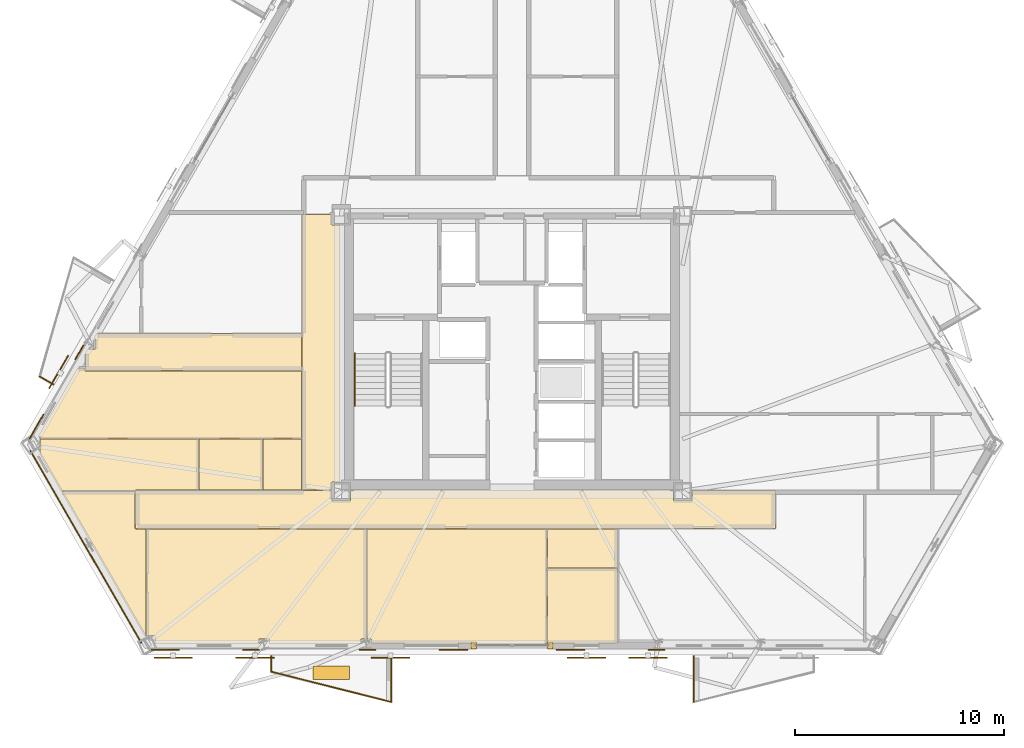
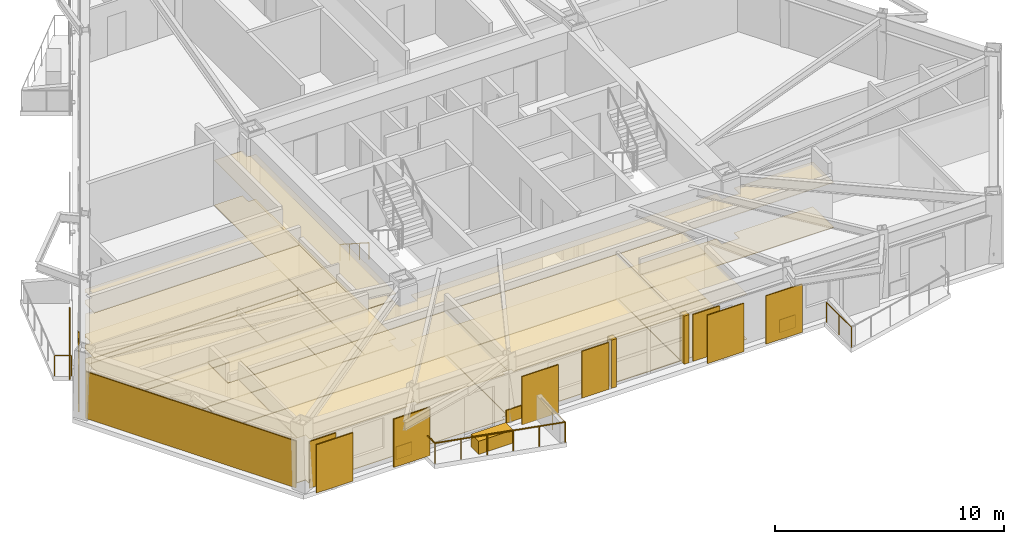
# One storey, part 13 of 16: 36 coverings, 6 railings, 6 shading devices.
"""IFC4 building model written with IfcOpenShell, lengths in metres."""

from ifc_helpers import new_model, si_unit, direction, frame, origin, origin_2d, place, context, subcontext, project, spatial, polyline, rectangle, circle, outline, extrude, material, layer, layer_set, type_object, element, save


model = new_model("IFC4")

# Units and contexts
model_context = context("Model", 3, precision=1e-05, world=origin(), true_north=direction((0.0, 1.0)))
body_context = subcontext(model_context, "Body", "Model", "MODEL_VIEW")
ifc_project = project(units=[si_unit("LENGTHUNIT", "METRE"), si_unit("AREAUNIT", "SQUARE_METRE"), si_unit("VOLUMEUNIT", "CUBIC_METRE"), si_unit("PLANEANGLEUNIT", "RADIAN"), si_unit("MASSUNIT", "GRAM", prefix="KILO")], contexts=[model_context])

# Site, building, storey
site_placement = place(None, origin())
site = spatial("IfcSite", under=ifc_project, at=site_placement, CompositionType="ELEMENT")
building_placement = place(site_placement, origin())
building = spatial("IfcBuilding", under=site, at=building_placement, Name="Oramaril Tower", CompositionType="ELEMENT")
storey_placement = place(building_placement, frame((0.0, 0.0, 115.800048828125)))
storey = spatial("IfcBuildingStorey", under=building, at=storey_placement, Name="L30", CompositionType="ELEMENT", Elevation=115.800048828125)

# Coverings
ifc_material_1 = material(Name="Mineral Fibre Acoustic Ceiling")
ifc_layer_1 = layer(ifc_material_1, 0.02001953125)
ifc_layer_set_1 = layer_set([ifc_layer_1], Name="CVT-CEIL")
covering_type_1 = type_object("IfcCoveringType", Name="CVT-CEIL", PredefinedType="CEILING", material=ifc_layer_set_1)
covering_1_placement = place(storey_placement, frame((0.0, 0.0, 2.39990234375)))
element("IfcCovering", 1, at=covering_1_placement, inside=storey, type_object=covering_type_1, Name="L30 Acoustic Suspended Ceiling 1", PredefinedType="CEILING", context=body_context, shape_type="SweptSolid", body=[
    extrude(outline(polyline([(28.905029296875, 10.554931640625), (29.794921875, 10.554931640625), (29.794921875, 11.030029296875), (45.205078125, 11.030029296875), (45.205078125, 10.554931640625), (46.094970703125, 10.554931640625), (46.094970703125, 11.030029296875), (50.080078125, 11.030029296875), (50.080078125, 9.219970703125), (19.52001953125, 9.219970703125), (19.52001953125, 11.030029296875), (28.905029296875, 11.030029296875), (28.905029296875, 10.554931640625)])), origin(), (0.0, 0.0, 1.0), 0.02001953125),
])
covering_2_placement = place(storey_placement, frame((0.0, 0.0, 2.39990234375)))
element("IfcCovering", 2, at=covering_2_placement, inside=storey, type_object=covering_type_1, Name="L30 Acoustic Suspended Ceiling 3", PredefinedType="CEILING", context=body_context, shape_type="SweptSolid", body=[
    extrude(outline(polyline([(28.905029296875, 23.705078125), (29.280029296875, 23.705078125), (29.280029296875, 11.445068359375), (28.905029296875, 11.445068359375), (28.905029296875, 11.050048828125), (27.469970703125, 11.050048828125), (27.469970703125, 24.219970703125), (28.905029296875, 24.219970703125), (28.905029296875, 23.705078125)])), origin(), (0.0, 0.0, 1.0), 0.02001953125),
])
covering_3_placement = place(storey_placement, frame((0.0, 0.0, 2.39990234375)))
element("IfcCovering", 3, at=covering_3_placement, inside=storey, type_object=covering_type_1, Name="L30 Acoustic Suspended Ceiling 5", PredefinedType="CEILING", context=body_context, shape_type="SweptSolid", body=[
    extrude(outline(polyline([(17.1201171875, 16.77001953125), (17.1201171875, 17.60205078125), (17.230712890625, 17.793701171875), (17.598388671875, 17.793701171875), (17.598388671875, 18.3037109375), (17.525146484375, 18.3037109375), (17.65576171875, 18.530029296875), (27.449951171875, 18.530029296875), (27.449951171875, 16.77001953125), (17.1201171875, 16.77001953125)])), origin(), (0.0, 0.0, 1.0), 0.02001953125),
])
covering_4_placement = place(storey_placement, frame((0.0, 0.0, 2.39990234375)))
element("IfcCovering", 4, at=covering_4_placement, inside=storey, type_object=covering_type_1, Name="L30 Acoustic Suspended Ceiling 6", PredefinedType="CEILING", context=body_context, shape_type="SweptSolid", body=[
    extrude(outline(polyline([(25.882080078125, 3.93603515625), (25.410400390625, 3.93603515625), (25.410400390625, 3.7373046875), (20.456787109375, 3.7373046875), (20.456787109375, 4.0830078125), (20.0419921875, 4.0830078125), (20.0419921875, 9.199951171875), (30.5419921875, 9.199951171875), (30.5419921875, 3.93603515625), (30.296630859375, 3.93603515625), (30.296630859375, 3.7373046875), (25.882080078125, 3.7373046875), (25.882080078125, 3.93603515625)])), origin(), (0.0, 0.0, 1.0), 0.02001953125),
])
covering_5_placement = place(storey_placement, frame((0.0, 0.0, 2.39990234375)))
element("IfcCovering", 5, at=covering_5_placement, inside=storey, type_object=covering_type_1, Name="L30 Acoustic Suspended Ceiling 7", PredefinedType="CEILING", context=body_context, shape_type="SweptSolid", body=[
    extrude(outline(polyline([(19.94970703125, 4.0830078125), (15.960693359375, 10.991943359375), (19.5, 10.991943359375), (19.5, 9.219970703125), (19.5, 9.218017578125), (19.50048828125, 9.216064453125), (19.5009765625, 9.214111328125), (19.50146484375, 9.21240234375), (19.50244140625, 9.210693359375), (19.50341796875, 9.208984375), (19.50439453125, 9.207275390625), (19.505859375, 9.205810546875), (19.50732421875, 9.20458984375), (19.5087890625, 9.203369140625), (19.510498046875, 9.202392578125), (19.51220703125, 9.201416015625), (19.51416015625, 9.200927734375), (19.51611328125, 9.200439453125), (19.51806640625, 9.2001953125), (19.52001953125, 9.199951171875), (20.022216796875, 9.199951171875), (20.022216796875, 4.0830078125), (19.94970703125, 4.0830078125)])), origin(), (0.0, 0.0, 1.0), 0.02001953125),
])
covering_6_placement = place(storey_placement, frame((0.0, 0.0, 2.39990234375)))
element("IfcCovering", 6, at=covering_6_placement, inside=storey, type_object=covering_type_1, Name="L30 Acoustic Suspended Ceiling 8", PredefinedType="CEILING", context=body_context, shape_type="SweptSolid", body=[
    extrude(outline(polyline([(39.181884765625, 3.7373046875), (30.7578125, 3.7373046875), (30.7578125, 3.93603515625), (30.56201171875, 3.93603515625), (30.56201171875, 9.199951171875), (39.181884765625, 9.199951171875), (39.181884765625, 3.7373046875)])), origin(), (0.0, 0.0, 1.0), 0.02001953125),
])
covering_7_placement = place(storey_placement, frame((0.0, 0.0, 2.39990234375)))
element("IfcCovering", 7, at=covering_7_placement, inside=storey, type_object=covering_type_1, Name="L30 Acoustic Suspended Ceiling 9", PredefinedType="CEILING", context=body_context, shape_type="SweptSolid", body=[
    extrude(outline(polyline([(42.5419921875, 7.314208984375), (42.5419921875, 3.7373046875), (39.201904296875, 3.7373046875), (39.201904296875, 7.314208984375), (42.5419921875, 7.314208984375)])), origin(), (0.0, 0.0, 1.0), 0.02001953125),
])
covering_8_placement = place(storey_placement, frame((0.0, 0.0, 2.39990234375)))
element("IfcCovering", 8, at=covering_8_placement, inside=storey, type_object=covering_type_1, Name="L30 Acoustic Suspended Ceiling 10", PredefinedType="CEILING", context=body_context, shape_type="SweptSolid", body=[
    extrude(outline(polyline([(42.5419921875, 7.334228515625), (39.201904296875, 7.334228515625), (39.201904296875, 9.199951171875), (42.5419921875, 9.199951171875), (42.5419921875, 7.334228515625)])), origin(), (0.0, 0.0, 1.0), 0.02001953125),
])
covering_9_placement = place(storey_placement, frame((0.0, 0.0, 2.39990234375)))
element("IfcCovering", 9, at=covering_9_placement, inside=storey, type_object=covering_type_1, Name="L30 Acoustic Suspended Ceiling 13", PredefinedType="CEILING", context=body_context, shape_type="SweptSolid", body=[
    extrude(outline(polyline([(14.953125, 13.50390625), (14.953125, 13.625), (14.867919921875, 13.625), (16.75390625, 16.89208984375), (17.10009765625, 16.89208984375), (17.10009765625, 16.77001953125), (17.10009765625, 16.76806640625), (17.100341796875, 16.76611328125), (17.100830078125, 16.76416015625), (17.1015625, 16.76220703125), (17.102294921875, 16.760498046875), (17.103515625, 16.7587890625), (17.1044921875, 16.75732421875), (17.10595703125, 16.755859375), (17.107421875, 16.75439453125), (17.10888671875, 16.75341796875), (17.110595703125, 16.75244140625), (17.1123046875, 16.75146484375), (17.1142578125, 16.7509765625), (17.1162109375, 16.75048828125), (17.117919921875, 16.75), (17.1201171875, 16.75), (27.449951171875, 16.75), (27.449951171875, 13.50390625), (14.953125, 13.50390625)])), origin(), (0.0, 0.0, 1.0), 0.02001953125),
])
covering_10_placement = place(storey_placement, frame((0.0, 0.0, 2.39990234375)))
element("IfcCovering", 10, at=covering_10_placement, inside=storey, type_object=covering_type_1, Name="L30 Acoustic Suspended Ceiling 14", PredefinedType="CEILING", context=body_context, shape_type="SweptSolid", body=[
    extrude(outline(polyline([(14.91064453125, 12.810791015625), (14.953125, 12.810791015625), (14.953125, 13.48388671875), (22.528564453125, 13.48388671875), (22.528564453125, 11.050048828125), (19.52001953125, 11.050048828125), (19.51806640625, 11.0498046875), (19.51611328125, 11.049560546875), (19.51416015625, 11.049072265625), (19.51220703125, 11.048583984375), (19.510498046875, 11.047607421875), (19.5087890625, 11.046630859375), (19.50732421875, 11.04541015625), (19.505859375, 11.044189453125), (19.50439453125, 11.042724609375), (19.50341796875, 11.041015625), (19.50244140625, 11.039306640625), (19.50146484375, 11.03759765625), (19.5009765625, 11.035888671875), (19.50048828125, 11.033935546875), (19.5, 11.031982421875), (19.5, 11.030029296875), (19.5, 11.011962890625), (15.960693359375, 11.011962890625), (15.958740234375, 11.011962890625), (15.956787109375, 11.01171875), (15.954833984375, 11.010986328125), (15.952880859375, 11.010498046875), (15.951171875, 11.009521484375), (15.95068359375, 11.00927734375), (14.91064453125, 12.810791015625)])), origin(), (0.0, 0.0, 1.0), 0.02001953125),
])
covering_11_placement = place(storey_placement, frame((0.0, 0.0, 2.39990234375)))
element("IfcCovering", 11, at=covering_11_placement, inside=storey, type_object=covering_type_1, Name="L30 Acoustic Suspended Ceiling 15", PredefinedType="CEILING", context=body_context, shape_type="SweptSolid", body=[
    extrude(outline(polyline([(25.57861328125, 11.050048828125), (22.548583984375, 11.050048828125), (22.548583984375, 13.48388671875), (25.57861328125, 13.48388671875), (25.57861328125, 11.050048828125)])), origin(), (0.0, 0.0, 1.0), 0.02001953125),
])
covering_12_placement = place(storey_placement, frame((0.0, 0.0, 2.39990234375)))
element("IfcCovering", 12, at=covering_12_placement, inside=storey, type_object=covering_type_1, Name="L30 Acoustic Suspended Ceiling 16", PredefinedType="CEILING", context=body_context, shape_type="SweptSolid", body=[
    extrude(outline(polyline([(25.598388671875, 13.48388671875), (27.449951171875, 13.48388671875), (27.449951171875, 11.050048828125), (25.598388671875, 11.050048828125), (25.598388671875, 13.48388671875)])), origin(), (0.0, 0.0, 1.0), 0.02001953125),
])
ifc_material_2 = material(Name="Warm Cream Limestone", Category="masonry")
ifc_layer_2 = layer(ifc_material_2, 0.050048828125)
ifc_layer_set_2 = layer_set([ifc_layer_2], Name="CVT-CLD")
covering_type_2 = type_object("IfcCoveringType", Name="CVT-CLD", PredefinedType="CLADDING", material=ifc_layer_set_2)
covering_13_placement = place(storey_placement, frame((17.14111328125, 8.345703125, 0.0400390625), z_axis=(0.0, 0.0, 1.0), x_axis=(0.500003022996, -0.86602365845, 0.0)))
element("IfcCovering", 13, at=covering_13_placement, inside=storey, type_object=covering_type_2, Name="L30 Warm Cream Limestone Cladding", PredefinedType="CLADDING", context=body_context, shape_type="SweptSolid", body=[
    extrude(rectangle(XDim=10.614990234375, YDim=0.050048828125, at=origin_2d()), origin(), (0.0, 0.0, 1.0), 2.498046875),
])
for number, where, z_axis, x_axis, name in (
    (14, (35.669921875, 3.62939453125, 0.0), (0.0, 0.0, 1.0), (1.0, 0.0, 0.0), "L30 Curtain Wall Limestone Jamb Closure"),
    (15, (39.330078125, 3.62939453125, 0.0), (0.0, 0.0, 1.0), (1.0, 0.0, 0.0), "L30 Curtain Wall Limestone Jamb Closure"),
):
    element("IfcCovering", number, at=place(storey_placement, frame(where, z_axis=z_axis, x_axis=x_axis)), inside=storey, type_object=covering_type_2, Name=name, PredefinedType="CLADDING", context=body_context, shape_type="SweptSolid", body=[
        extrude(rectangle(XDim=0.260009765625, YDim=0.340087890625, at=origin_2d()), origin(), (0.0, 0.0, 1.0), 2.577880859375),
    ])
for number, where, z_axis, x_axis, name in (
    (16, (20.93701171875, 3.436279296875, 0.0400390625), (0.0, 0.0, 1.0), (1.0, 0.0, 0.0), "L30 Warm Cream Limestone Cladding"),
    (17, (34.699951171875, 3.436279296875, 0.0400390625), (0.0, 0.0, 1.0), (1.0, 0.0, 0.0), "L30 Warm Cream Limestone Cladding"),
):
    element("IfcCovering", number, at=place(storey_placement, frame(where, z_axis=z_axis, x_axis=x_axis)), inside=storey, type_object=covering_type_2, Name=name, PredefinedType="CLADDING", context=body_context, shape_type="SweptSolid", body=[
        extrude(rectangle(XDim=1.35009765625, YDim=0.050048828125, at=origin_2d()), origin(), (0.0, 0.0, 1.0), 2.498046875),
    ])
for number, where, z_axis, x_axis, name in (
    (18, (25.03515625, 3.436279296875, 0.0400390625), (0.0, 0.0, 1.0), (1.0, 0.0, 0.0), "L30 Warm Cream Limestone Spandrel Cladding"),
    (19, (30.601806640625, 3.436279296875, 0.0400390625), (0.0, 0.0, 1.0), (1.0, 0.0, 0.0), "L30 Warm Cream Limestone Spandrel Cladding"),
):
    element("IfcCovering", number, at=place(storey_placement, frame(where, z_axis=z_axis, x_axis=x_axis)), inside=storey, type_object=covering_type_2, Name=name, PredefinedType="CLADDING", context=body_context, shape_type="SweptSolid", body=[
        extrude(rectangle(XDim=0.800048828125, YDim=0.050048828125, at=origin_2d()), origin(), (0.0, 0.0, 1.0), 0.679931640625),
    ])
covering_14_placement = place(storey_placement, frame((40.300048828125, 3.436279296875, 0.0400390625), z_axis=(0.0, 0.0, 1.0), x_axis=(1.0, 0.0, 0.0)))
element("IfcCovering", 20, at=covering_14_placement, inside=storey, type_object=covering_type_2, Name="L30 Warm Cream Limestone Cladding", PredefinedType="CLADDING", context=body_context, shape_type="SweptSolid", body=[
    extrude(rectangle(XDim=1.35009765625, YDim=0.050048828125, at=origin_2d()), origin(), (0.0, 0.0, 1.0), 2.498046875),
])
covering_15_placement = place(storey_placement, frame((44.398193359375, 3.436279296875, 0.0400390625), z_axis=(0.0, 0.0, 1.0), x_axis=(1.0, 0.0, 0.0)))
element("IfcCovering", 21, at=covering_15_placement, inside=storey, type_object=covering_type_2, Name="L30 Warm Cream Limestone Spandrel Cladding", PredefinedType="CLADDING", context=body_context, shape_type="SweptSolid", body=[
    extrude(rectangle(XDim=0.800048828125, YDim=0.050048828125, at=origin_2d()), origin(), (0.0, 0.0, 1.0), 0.679931640625),
])
covering_16_placement = place(storey_placement, frame((14.787353515625, 14.087646484375, 0.0400390625), z_axis=(0.0, 0.0, 1.0), x_axis=(-0.4999984885, -0.866026276448, 0.0)))
element("IfcCovering", 22, at=covering_16_placement, inside=storey, type_object=covering_type_2, Name="L30 Warm Cream Limestone Cladding", PredefinedType="CLADDING", context=body_context, shape_type="SweptSolid", body=[
    extrude(rectangle(XDim=1.35009765625, YDim=0.050048828125, at=origin_2d()), origin(), (0.0, 0.0, 1.0), 2.498046875),
])
covering_17_placement = place(storey_placement, frame((16.836181640625, 17.636962890625, 0.0400390625), z_axis=(0.0, 0.0, 1.0), x_axis=(-0.4999984885, -0.866026276448, 0.0)))
element("IfcCovering", 23, at=covering_17_placement, inside=storey, type_object=covering_type_2, Name="L30 Warm Cream Limestone Spandrel Cladding", PredefinedType="CLADDING", context=body_context, shape_type="SweptSolid", body=[
    extrude(rectangle(XDim=0.800048828125, YDim=0.050048828125, at=origin_2d()), origin(), (0.0, 0.0, 1.0), 0.679931640625),
])
covering_18_placement = place(storey_placement, frame((28.871337890625, 2.332763671875, 0.0), z_axis=(0.0, 0.0, 1.0), x_axis=(1.0, 0.0, 0.0)))
element("IfcCovering", 24, at=covering_18_placement, inside=storey, type_object=covering_type_2, Name="L30 Structural Tree Planter Box L30-BAL-S1", PredefinedType="CLADDING", context=body_context, shape_type="SweptSolid", body=[
    extrude(rectangle(XDim=1.75, YDim=0.64990234375, at=origin_2d()), origin(), (0.0, 0.0, 1.0), 0.699951171875),
])
ifc_material_3 = material(Name="Honed Quartzite Stone Flooring", Category="masonry")
ifc_layer_3 = layer(ifc_material_3, 0.02490234375)
ifc_layer_set_3 = layer_set([ifc_layer_3], Name="CVT-FLR")
covering_type_3 = type_object("IfcCoveringType", Name="CVT-FLR", PredefinedType="FLOORING", material=ifc_layer_set_3)
covering_19_placement = place(storey_placement, origin())
element("IfcCovering", 25, at=covering_19_placement, inside=storey, type_object=covering_type_3, Name="L30 Honed Stone Floor Finish 1", PredefinedType="FLOORING", context=body_context, shape_type="SweptSolid", body=[
    extrude(outline(polyline([(28.905029296875, 10.554931640625), (29.794921875, 10.554931640625), (29.794921875, 11.030029296875), (45.205078125, 11.030029296875), (45.205078125, 10.554931640625), (46.094970703125, 10.554931640625), (46.094970703125, 11.030029296875), (50.080078125, 11.030029296875), (50.080078125, 9.219970703125), (19.52001953125, 9.219970703125), (19.52001953125, 11.030029296875), (28.905029296875, 11.030029296875), (28.905029296875, 10.554931640625)])), origin(), (0.0, 0.0, 1.0), 0.02490234375),
])
covering_20_placement = place(storey_placement, origin())
element("IfcCovering", 26, at=covering_20_placement, inside=storey, type_object=covering_type_3, Name="L30 Honed Stone Floor Finish 3", PredefinedType="FLOORING", context=body_context, shape_type="SweptSolid", body=[
    extrude(outline(polyline([(28.905029296875, 23.705078125), (29.280029296875, 23.705078125), (29.280029296875, 11.445068359375), (28.905029296875, 11.445068359375), (28.905029296875, 11.050048828125), (27.469970703125, 11.050048828125), (27.469970703125, 24.219970703125), (28.905029296875, 24.219970703125), (28.905029296875, 23.705078125)])), origin(), (0.0, 0.0, 1.0), 0.02490234375),
])
covering_21_placement = place(storey_placement, origin())
element("IfcCovering", 27, at=covering_21_placement, inside=storey, type_object=covering_type_3, Name="L30 Honed Stone Floor Finish 5", PredefinedType="FLOORING", context=body_context, shape_type="SweptSolid", body=[
    extrude(outline(polyline([(17.1201171875, 16.77001953125), (17.1201171875, 17.60205078125), (17.230712890625, 17.793701171875), (17.598388671875, 17.793701171875), (17.598388671875, 18.3037109375), (17.525146484375, 18.3037109375), (17.65576171875, 18.530029296875), (27.449951171875, 18.530029296875), (27.449951171875, 16.77001953125), (17.1201171875, 16.77001953125)])), origin(), (0.0, 0.0, 1.0), 0.02490234375),
])
covering_22_placement = place(storey_placement, origin())
element("IfcCovering", 28, at=covering_22_placement, inside=storey, type_object=covering_type_3, Name="L30 Honed Stone Floor Finish 6", PredefinedType="FLOORING", context=body_context, shape_type="SweptSolid", body=[
    extrude(outline(polyline([(25.882080078125, 3.93603515625), (25.410400390625, 3.93603515625), (25.410400390625, 3.7373046875), (20.456787109375, 3.7373046875), (20.456787109375, 4.0830078125), (20.0419921875, 4.0830078125), (20.0419921875, 9.199951171875), (30.5419921875, 9.199951171875), (30.5419921875, 3.93603515625), (30.296630859375, 3.93603515625), (30.296630859375, 3.7373046875), (25.882080078125, 3.7373046875), (25.882080078125, 3.93603515625)])), origin(), (0.0, 0.0, 1.0), 0.02490234375),
])
covering_23_placement = place(storey_placement, origin())
element("IfcCovering", 29, at=covering_23_placement, inside=storey, type_object=covering_type_3, Name="L30 Honed Stone Floor Finish 7", PredefinedType="FLOORING", context=body_context, shape_type="SweptSolid", body=[
    extrude(outline(polyline([(19.94970703125, 4.0830078125), (15.960693359375, 10.991943359375), (19.5, 10.991943359375), (19.5, 9.219970703125), (19.5, 9.218017578125), (19.50048828125, 9.216064453125), (19.5009765625, 9.214111328125), (19.50146484375, 9.21240234375), (19.50244140625, 9.210693359375), (19.50341796875, 9.208984375), (19.50439453125, 9.207275390625), (19.505859375, 9.205810546875), (19.50732421875, 9.20458984375), (19.5087890625, 9.203369140625), (19.510498046875, 9.202392578125), (19.51220703125, 9.201416015625), (19.51416015625, 9.200927734375), (19.51611328125, 9.200439453125), (19.51806640625, 9.2001953125), (19.52001953125, 9.199951171875), (20.022216796875, 9.199951171875), (20.022216796875, 4.0830078125), (19.94970703125, 4.0830078125)])), origin(), (0.0, 0.0, 1.0), 0.02490234375),
])
covering_24_placement = place(storey_placement, origin())
element("IfcCovering", 30, at=covering_24_placement, inside=storey, type_object=covering_type_3, Name="L30 Honed Stone Floor Finish 8", PredefinedType="FLOORING", context=body_context, shape_type="SweptSolid", body=[
    extrude(outline(polyline([(39.181884765625, 3.7373046875), (30.7578125, 3.7373046875), (30.7578125, 3.93603515625), (30.56201171875, 3.93603515625), (30.56201171875, 9.199951171875), (39.181884765625, 9.199951171875), (39.181884765625, 3.7373046875)])), origin(), (0.0, 0.0, 1.0), 0.02490234375),
])
covering_25_placement = place(storey_placement, origin())
element("IfcCovering", 31, at=covering_25_placement, inside=storey, type_object=covering_type_3, Name="L30 Honed Stone Floor Finish 9", PredefinedType="FLOORING", context=body_context, shape_type="SweptSolid", body=[
    extrude(outline(polyline([(42.5419921875, 7.314208984375), (42.5419921875, 3.7373046875), (39.201904296875, 3.7373046875), (39.201904296875, 7.314208984375), (42.5419921875, 7.314208984375)])), origin(), (0.0, 0.0, 1.0), 0.02490234375),
])
covering_26_placement = place(storey_placement, origin())
element("IfcCovering", 32, at=covering_26_placement, inside=storey, type_object=covering_type_3, Name="L30 Honed Stone Floor Finish 10", PredefinedType="FLOORING", context=body_context, shape_type="SweptSolid", body=[
    extrude(outline(polyline([(42.5419921875, 7.334228515625), (39.201904296875, 7.334228515625), (39.201904296875, 9.199951171875), (42.5419921875, 9.199951171875), (42.5419921875, 7.334228515625)])), origin(), (0.0, 0.0, 1.0), 0.02490234375),
])
covering_27_placement = place(storey_placement, origin())
element("IfcCovering", 33, at=covering_27_placement, inside=storey, type_object=covering_type_3, Name="L30 Honed Stone Floor Finish 13", PredefinedType="FLOORING", context=body_context, shape_type="SweptSolid", body=[
    extrude(outline(polyline([(14.953125, 13.50390625), (14.953125, 13.625), (14.867919921875, 13.625), (16.75390625, 16.89208984375), (17.10009765625, 16.89208984375), (17.10009765625, 16.77001953125), (17.10009765625, 16.76806640625), (17.100341796875, 16.76611328125), (17.100830078125, 16.76416015625), (17.1015625, 16.76220703125), (17.102294921875, 16.760498046875), (17.103515625, 16.7587890625), (17.1044921875, 16.75732421875), (17.10595703125, 16.755859375), (17.107421875, 16.75439453125), (17.10888671875, 16.75341796875), (17.110595703125, 16.75244140625), (17.1123046875, 16.75146484375), (17.1142578125, 16.7509765625), (17.1162109375, 16.75048828125), (17.117919921875, 16.75), (17.1201171875, 16.75), (27.449951171875, 16.75), (27.449951171875, 13.50390625), (14.953125, 13.50390625)])), origin(), (0.0, 0.0, 1.0), 0.02490234375),
])
covering_28_placement = place(storey_placement, origin())
element("IfcCovering", 34, at=covering_28_placement, inside=storey, type_object=covering_type_3, Name="L30 Honed Stone Floor Finish 14", PredefinedType="FLOORING", context=body_context, shape_type="SweptSolid", body=[
    extrude(outline(polyline([(14.91064453125, 12.810791015625), (14.953125, 12.810791015625), (14.953125, 13.48388671875), (22.528564453125, 13.48388671875), (22.528564453125, 11.050048828125), (19.52001953125, 11.050048828125), (19.51806640625, 11.0498046875), (19.51611328125, 11.049560546875), (19.51416015625, 11.049072265625), (19.51220703125, 11.048583984375), (19.510498046875, 11.047607421875), (19.5087890625, 11.046630859375), (19.50732421875, 11.04541015625), (19.505859375, 11.044189453125), (19.50439453125, 11.042724609375), (19.50341796875, 11.041015625), (19.50244140625, 11.039306640625), (19.50146484375, 11.03759765625), (19.5009765625, 11.035888671875), (19.50048828125, 11.033935546875), (19.5, 11.031982421875), (19.5, 11.030029296875), (19.5, 11.011962890625), (15.960693359375, 11.011962890625), (15.958740234375, 11.011962890625), (15.956787109375, 11.01171875), (15.954833984375, 11.010986328125), (15.952880859375, 11.010498046875), (15.951171875, 11.009521484375), (15.95068359375, 11.00927734375), (14.91064453125, 12.810791015625)])), origin(), (0.0, 0.0, 1.0), 0.02490234375),
])
covering_29_placement = place(storey_placement, origin())
element("IfcCovering", 35, at=covering_29_placement, inside=storey, type_object=covering_type_3, Name="L30 Honed Stone Floor Finish 15", PredefinedType="FLOORING", context=body_context, shape_type="SweptSolid", body=[
    extrude(outline(polyline([(25.57861328125, 11.050048828125), (22.548583984375, 11.050048828125), (22.548583984375, 13.48388671875), (25.57861328125, 13.48388671875), (25.57861328125, 11.050048828125)])), origin(), (0.0, 0.0, 1.0), 0.02490234375),
])
covering_30_placement = place(storey_placement, origin())
element("IfcCovering", 36, at=covering_30_placement, inside=storey, type_object=covering_type_3, Name="L30 Honed Stone Floor Finish 16", PredefinedType="FLOORING", context=body_context, shape_type="SweptSolid", body=[
    extrude(outline(polyline([(25.598388671875, 13.48388671875), (27.449951171875, 13.48388671875), (27.449951171875, 11.050048828125), (25.598388671875, 11.050048828125), (25.598388671875, 13.48388671875)])), origin(), (0.0, 0.0, 1.0), 0.02490234375),
])

# Railings
ifc_material_4 = material(Name="Stainless Steel 316L", Category="steel")
railing_type_1 = type_object("IfcRailingType", Name="RLT-GRD", PredefinedType="GUARDRAIL", material=ifc_material_4)
railing_1_placement = place(storey_placement, frame((31.736328125, 3.121337890625, 0.0)))
element("IfcRailing", 37, at=railing_1_placement, inside=storey, type_object=railing_type_1, Name="L30 Balcony Guardrail L30-BAL-S1.1", PredefinedType="GUARDRAIL", context=body_context, shape_type="SweptSolid", body=[
    extrude(circle(Radius=0.02392578125, at=origin_2d()), frame((0.0, 0.0, 1.076171875), z_axis=(0.0, -1.0, 0.0), x_axis=(1.0, 0.0, 0.0)), (0.0, 0.0, 1.0), 2.192138671875),
    extrude(circle(Radius=0.02099609375, at=origin_2d()), origin(), (0.0, 0.0, 1.0), 1.052001953125),
    extrude(circle(Radius=0.02099609375, at=origin_2d()), frame((0.0, -1.09619140625, 0.0)), (0.0, 0.0, 1.0), 1.052001953125),
    extrude(circle(Radius=0.02099609375, at=origin_2d()), frame((0.0, -2.192138671875, 0.0)), (0.0, 0.0, 1.0), 1.052001953125),
])
railing_2_placement = place(storey_placement, frame((31.736328125, 0.92919921875, 0.0)))
element("IfcRailing", 38, at=railing_2_placement, inside=storey, type_object=railing_type_1, Name="L30 Balcony Guardrail L30-BAL-S1.2", PredefinedType="GUARDRAIL", context=body_context, shape_type="SweptSolid", body=[
    extrude(circle(Radius=0.02392578125, at=origin_2d()), frame((0.0, 0.0, 1.076171875), z_axis=(-0.969433787338, 0.245353076131, 0.0), x_axis=(-0.245353076131, -0.969433787338, 0.0)), (0.0, 0.0, 1.0), 5.91064453125),
    extrude(circle(Radius=0.02099609375, at=origin_2d()), origin(), (0.0, 0.0, 1.0), 1.052001953125),
    extrude(circle(Radius=0.02099609375, at=origin_2d()), frame((-1.14599609375, 0.2900390625, 0.0)), (0.0, 0.0, 1.0), 1.052001953125),
    extrude(circle(Radius=0.02099609375, at=origin_2d()), frame((-2.2919921875, 0.580078125, 0.0)), (0.0, 0.0, 1.0), 1.052001953125),
    extrude(circle(Radius=0.02099609375, at=origin_2d()), frame((-3.43798828125, 0.8701171875, 0.0)), (0.0, 0.0, 1.0), 1.052001953125),
    extrude(circle(Radius=0.02099609375, at=origin_2d()), frame((-4.583984375, 1.16015625, 0.0)), (0.0, 0.0, 1.0), 1.052001953125),
    extrude(circle(Radius=0.02099609375, at=origin_2d()), frame((-5.72998046875, 1.4501953125, 0.0)), (0.0, 0.0, 1.0), 1.052001953125),
])
railing_3_placement = place(storey_placement, frame((26.00634765625, 2.37939453125, 0.0)))
element("IfcRailing", 39, at=railing_3_placement, inside=storey, type_object=railing_type_1, Name="L30 Balcony Guardrail L30-BAL-S1.3", PredefinedType="GUARDRAIL", context=body_context, shape_type="SweptSolid", body=[
    extrude(circle(Radius=0.02392578125, at=origin_2d()), frame((0.0, 0.0, 1.076171875), z_axis=(0.0, 1.0, 0.0), x_axis=(-1.0, 0.0, 0.0)), (0.0, 0.0, 1.0), 0.741943359375),
    extrude(circle(Radius=0.02099609375, at=origin_2d()), origin(), (0.0, 0.0, 1.0), 1.052001953125),
    extrude(circle(Radius=0.02099609375, at=origin_2d()), frame((0.0, 0.741943359375, 0.0)), (0.0, 0.0, 1.0), 1.052001953125),
])
railing_4_placement = place(storey_placement, frame((46.188720703125, 0.92919921875, 0.0)))
element("IfcRailing", 40, at=railing_4_placement, inside=storey, type_object=railing_type_1, Name="L30 Balcony Guardrail L30-BAL-S2.3", PredefinedType="GUARDRAIL", context=body_context, shape_type="SweptSolid", body=[
    extrude(circle(Radius=0.02392578125, at=origin_2d()), frame((0.0, 0.0, 1.076171875), z_axis=(0.0, 1.0, 0.0), x_axis=(-1.0, 0.0, 0.0)), (0.0, 0.0, 1.0), 2.192138671875),
    extrude(circle(Radius=0.02099609375, at=origin_2d()), origin(), (0.0, 0.0, 1.0), 1.052001953125),
    extrude(circle(Radius=0.02099609375, at=origin_2d()), frame((0.0, 1.09619140625, 0.0)), (0.0, 0.0, 1.0), 1.052001953125),
    extrude(circle(Radius=0.02099609375, at=origin_2d()), frame((0.0, 2.192138671875, 0.0)), (0.0, 0.0, 1.0), 1.052001953125),
])
railing_5_placement = place(storey_placement, frame((15.586669921875, 16.102294921875, 0.0)))
element("IfcRailing", 41, at=railing_5_placement, inside=storey, type_object=railing_type_1, Name="L30 Balcony Guardrail L30-BAL-NW2.1", PredefinedType="GUARDRAIL", context=body_context, shape_type="SweptSolid", body=[
    extrude(circle(Radius=0.02392578125, at=origin_2d()), frame((0.0, 0.0, 1.076171875), z_axis=(-0.865966403178, 0.500102178127, 0.0), x_axis=(-0.500102178127, -0.865966403178, 0.0)), (0.0, 0.0, 1.0), 0.741943359375),
    extrude(circle(Radius=0.02099609375, at=origin_2d()), origin(), (0.0, 0.0, 1.0), 1.052001953125),
    extrude(circle(Radius=0.02099609375, at=origin_2d()), frame((-0.642578125, 0.37109375, 0.0)), (0.0, 0.0, 1.0), 1.052001953125),
])
ifc_material_5 = material(Name="Stainless Steel 316L", Category="steel")
railing_type_2 = type_object("IfcRailingType", Name="RLT-HND", PredefinedType="HANDRAIL", material=ifc_material_5)
railing_6_placement = place(storey_placement, frame((30.0, 17.590087890625, 0.179931640625)))
element("IfcRailing", 42, at=railing_6_placement, inside=storey, type_object=railing_type_2, Name="L30 ST-1 stair handrail 1", PredefinedType="HANDRAIL", context=body_context, shape_type="SweptSolid", body=[
    extrude(circle(Radius=0.02392578125, at=origin_2d()), frame((0.0, 0.0, 0.8759765625), z_axis=(0.0, -0.841162588446, 0.540782303519), x_axis=(1.0, 0.0, 0.0)), (0.0, 0.0, 1.0), 2.995849609375),
    extrude(circle(Radius=0.02099609375, at=origin_2d()), origin(), (0.0, 0.0, 1.0), 0.851806640625),
    extrude(circle(Radius=0.02099609375, at=origin_2d()), frame((0.0, -0.840087890625, 0.5400390625)), (0.0, 0.0, 1.0), 0.851806640625),
    extrude(circle(Radius=0.02099609375, at=origin_2d()), frame((0.0, -1.679931640625, 1.080078125)), (0.0, 0.0, 1.0), 0.851806640625),
    extrude(circle(Radius=0.02099609375, at=origin_2d()), frame((0.0, -2.52001953125, 1.6201171875)), (0.0, 0.0, 1.0), 0.851806640625),
])

# Shading devices
for number, where, z_axis, x_axis, name in (
    (43, (21.315673828125, 3.04931640625, -0.02001953125), (0.0, 0.0, 1.0), (1.0, 0.0, 0.0), "L30 Perforated Ceramic Solar Screen"),
    (44, (25.2158203125, 3.04931640625, -0.02001953125), (0.0, 0.0, 1.0), (1.0, 0.0, 0.0), "L30 Perforated Ceramic Solar Screen"),
    (45, (31.691650390625, 3.04931640625, -0.02001953125), (0.0, 0.0, 1.0), (1.0, 0.0, 0.0), "L30 Perforated Ceramic Solar Screen"),
    (46, (41.05029296875, 3.04931640625, -0.02001953125), (0.0, 0.0, 1.0), (1.0, 0.0, 0.0), "L30 Perforated Ceramic Solar Screen"),
    (47, (44.00390625, 3.04931640625, -0.02001953125), (0.0, 0.0, 1.0), (1.0, 0.0, 0.0), "L30 Perforated Ceramic Solar Screen"),
    (48, (15.844970703125, 16.69384765625, -0.02001953125), (0.0, 0.0, 1.0), (-0.499995465495, -0.866028021766, 0.0), "L30 Perforated Ceramic Solar Screen"),
):
    element("IfcShadingDevice", number, at=place(storey_placement, frame(where, z_axis=z_axis, x_axis=x_axis)), inside=storey, Name=name, ObjectType="SCREEN", PredefinedType="USERDEFINED", context=body_context, shape_type="SweptSolid", body=[
        extrude(rectangle(XDim=1.8330078125, YDim=0.050048828125, at=origin_2d()), origin(), (0.0, 0.0, 1.0), 2.577880859375),
    ])

save(model, "model.ifc")
